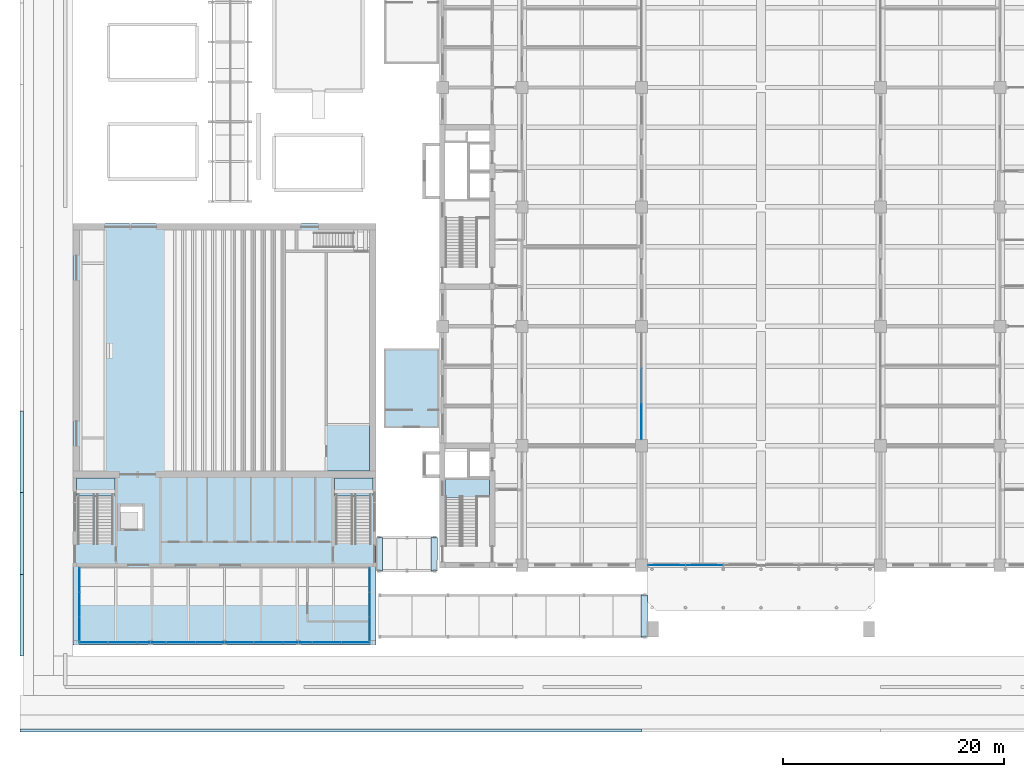
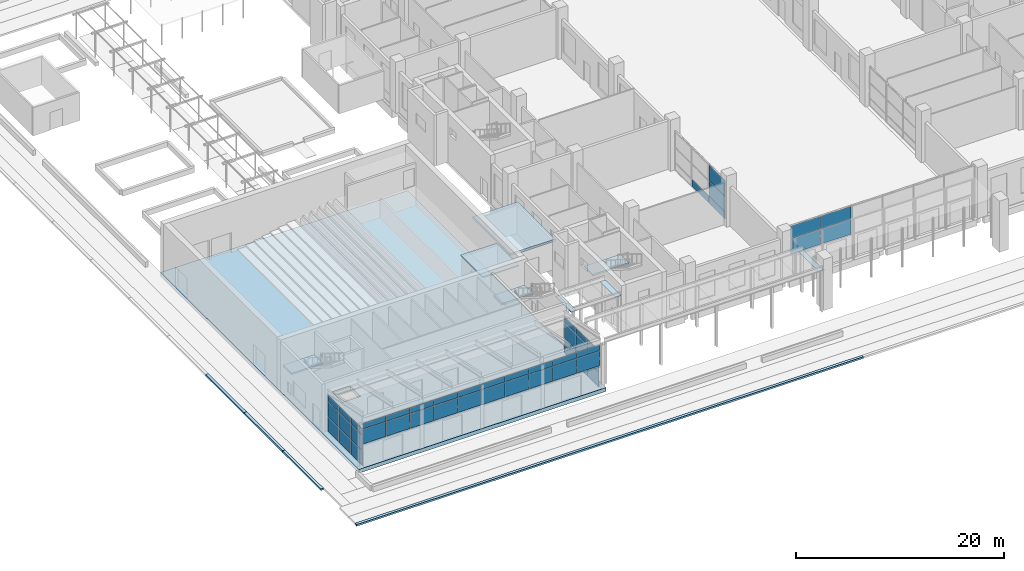
# One storey, part 41 of 71: 49 plates, 10 slabs, 8 elements without a shape of their own.
"""IFC4 building model written with IfcOpenShell, lengths in metres."""

import ifcopenshell
import ifcopenshell.guid

model = None  # the IFC model being written
_history = None  # IfcOwnerHistory: only IFC2X3 demands one
_inside = {}  # id of a spatial element -> (the spatial element, [elements in it])
_under = {}  # id of a project, library or spatial element -> (it, [spatial elements below it])
_declared = {}  # id of a project -> (the project, [libraries it declares])
_typed = {}  # id of a type object -> (the type object, [elements of that type])
_made_of = {}  # id of a material, layer set ... -> (it, [elements and type objects made of it])


def new_model(schema):
    """Start an empty IFC model of exactly this schema.

    Asked for "IFC4X3", IfcOpenShell would pick the latest addendum, in which some entities
    have other attributes; the version numbers below select the first issue.
    IFC2X3 requires an IfcOwnerHistory on every rooted entity: one is made here for all.
    """
    global model, _history
    if schema == "IFC4X3":
        model = ifcopenshell.file(schema_version=(4, 3, 0, 0))
    else:
        model = ifcopenshell.file(schema=schema)
    _inside.clear()
    _under.clear()
    _declared.clear()
    _typed.clear()
    _made_of.clear()
    _history = None
    if model.schema == "IFC2X3":
        org = make("IfcOrganization", Name="unknown")
        user = make(
            "IfcPersonAndOrganization",
            ThePerson=make("IfcPerson", FamilyName="unknown"),
            TheOrganization=org,
        )
        app = make(
            "IfcApplication",
            ApplicationDeveloper=org,
            Version="unknown",
            ApplicationFullName="unknown",
            ApplicationIdentifier="unknown",
        )
        _history = make(
            "IfcOwnerHistory",
            OwningUser=user,
            OwningApplication=app,
            ChangeAction="ADDED",
            CreationDate=0,
        )
    return model


def make(cls, **values):
    """One entity of the class cls with the attributes given. An attribute that is None is left unset."""
    return model.create_entity(
        cls, **{name: value for name, value in values.items() if value is not None}
    )


def rooted(cls, **values):
    """An entity with a GlobalId (a new one), such as an element, a storey or a relation."""
    return make(cls, GlobalId=ifcopenshell.guid.new(), OwnerHistory=_history, **values)


def si_unit(unit_type, name, prefix=None):
    """IfcSIUnit, for example si_unit("LENGTHUNIT", "METRE", prefix="MILLI")."""
    return make("IfcSIUnit", UnitType=unit_type, Prefix=prefix, Name=name)


def assignment(units):
    """IfcUnitAssignment: the units of a project."""
    return None if units is None else make("IfcUnitAssignment", Units=units)


def point(xyz):
    """IfcCartesianPoint."""
    return None if xyz is None else make("IfcCartesianPoint", Coordinates=xyz)


def direction(xyz):
    """IfcDirection."""
    return None if xyz is None else make("IfcDirection", DirectionRatios=xyz)


def frame(location, z_axis=None, x_axis=None):
    """IfcAxis2Placement3D, a coordinate frame: its origin and axes. An axis left out is left unset."""
    return make(
        "IfcAxis2Placement3D",
        Location=point(location),
        Axis=direction(z_axis),
        RefDirection=direction(x_axis),
    )


def frame_2d(location, x_axis=None):
    """IfcAxis2Placement2D, a coordinate frame in the plane: its origin and x axis."""
    return make(
        "IfcAxis2Placement2D", Location=point(location), RefDirection=direction(x_axis)
    )


def origin():
    """The frame at (0, 0, 0) with its axes left unset."""
    return frame((0.0, 0.0, 0.0))


def origin_2d():
    """The frame at (0, 0) in the plane with its x axis left unset."""
    return frame_2d((0.0, 0.0))


def place(relative_to, where):
    """IfcLocalPlacement: puts the frame where relative to a parent placement (None: the world)."""
    return make(
        "IfcLocalPlacement", PlacementRelTo=relative_to, RelativePlacement=where
    )


def context(
    kind, dimensions, precision=None, world=None, true_north=None, identifier=None
):
    """IfcGeometricRepresentationContext, for example the 3D "Model" context."""
    return make(
        "IfcGeometricRepresentationContext",
        ContextIdentifier=identifier,
        ContextType=kind,
        CoordinateSpaceDimension=dimensions,
        Precision=precision,
        WorldCoordinateSystem=world,
        TrueNorth=true_north,
    )


def subcontext(parent, identifier, kind, view, scale=None):
    """IfcGeometricRepresentationSubContext, for example "Body" below "Model"."""
    return make(
        "IfcGeometricRepresentationSubContext",
        ContextIdentifier=identifier,
        ContextType=kind,
        ParentContext=parent,
        TargetScale=scale,
        TargetView=view,
    )


def project(units=None, contexts=None):
    """IfcProject with its units and contexts."""
    return rooted(
        "IfcProject",
        Name="project",
        RepresentationContexts=contexts,
        UnitsInContext=assignment(units),
    )


def spatial(cls, under=None, at=None, **own):
    """A site, building, storey or space (cls), placed at a placement, below another one or the project."""
    s = rooted(cls, ObjectPlacement=at, **own)
    if under is not None:
        _under.setdefault(under.id(), (under, []))[1].append(s)
    return s


def polyline(points):
    """IfcPolyline through the points."""
    return make("IfcPolyline", Points=[point(p) for p in points])


def profile(cls, at=None, kind="AREA", **sizes):
    """A parametric profile (cls). Its sizes go by their IFC names, for example OverallWidth=200.0."""
    return make(cls, ProfileType=kind, Position=at, **sizes)


def rectangle(**sizes):
    """IfcRectangleProfileDef."""
    return profile("IfcRectangleProfileDef", **sizes)


def outline(outer, holes=None, kind="AREA"):
    """IfcArbitraryClosedProfileDef: a profile drawn as a closed curve; with holes, ...WithVoids."""
    if holes is None:
        return make("IfcArbitraryClosedProfileDef", ProfileType=kind, OuterCurve=outer)
    return make(
        "IfcArbitraryProfileDefWithVoids",
        ProfileType=kind,
        OuterCurve=outer,
        InnerCurves=holes,
    )


def extrude(swept, where, along, depth):
    """IfcExtrudedAreaSolid: the profile swept, set in the frame where, extruded along a direction by depth."""
    return make(
        "IfcExtrudedAreaSolid",
        SweptArea=swept,
        Position=where,
        ExtrudedDirection=direction(along),
        Depth=depth,
    )


def shape(context_of_items, identifier, shape_type, items):
    """IfcShapeRepresentation: the items that make up one representation, for example the "Body"."""
    return make(
        "IfcShapeRepresentation",
        ContextOfItems=context_of_items,
        RepresentationIdentifier=identifier,
        RepresentationType=shape_type,
        Items=items,
    )


def material(Name=None, Category=None):
    """IfcMaterial."""
    return make("IfcMaterial", Name=Name, Category=Category)


def layer(
    of_material, thickness, ventilated=None, Name=None, Category=None, Priority=None
):
    """IfcMaterialLayer: one layer of a wall or slab, of a material (None: an air gap)."""
    return make(
        "IfcMaterialLayer",
        Material=of_material,
        LayerThickness=thickness,
        IsVentilated=ventilated,
        Name=Name,
        Category=Category,
        Priority=Priority,
    )


def layer_set(layers, Name=None):
    """IfcMaterialLayerSet."""
    return make("IfcMaterialLayerSet", MaterialLayers=layers, LayerSetName=Name)


def made_of(thing, what):
    """Note that an element or type object is made of a material, layer set ...; save() writes the relation."""
    if what is not None:
        _made_of.setdefault(what.id(), (what, []))[1].append(thing)
    return thing


def type_object(cls, material=None, **own):
    """A type object (cls), such as IfcWallType, which elements share."""
    return made_of(rooted(cls, **own), material)


def element(
    cls,
    number,
    at=None,
    inside=None,
    cuts=None,
    type_object=None,
    material=None,
    context=None,
    identifier="Body",
    shape_type=None,
    held_by="IfcProductDefinitionShape",
    body=None,
    shapes=None,
    **own,
):
    """One element of the class cls, such as IfcWall. Its Tag is "e" and its number.

    at: its placement. inside: the storey or other place that contains it. cuts: it is an
    opening in that element (IfcRelVoidsElement). A single representation is given by context,
    identifier, shape_type and body (its items); several are given by shapes. held_by: the class
    of the entity that holds the representations. save() writes the other relations.
    """
    e = rooted(cls, Tag="e%d" % number, ObjectPlacement=at, **own)
    if body is not None:
        shapes = [shape(context, identifier, shape_type, body)]
    if shapes is not None:
        e.Representation = make(held_by, Representations=shapes)
    if inside is not None:
        _inside.setdefault(inside.id(), (inside, []))[1].append(e)
    if cuts is not None:
        rooted(
            "IfcRelVoidsElement", RelatingBuildingElement=cuts, RelatedOpeningElement=e
        )
    if type_object is not None:
        _typed.setdefault(type_object.id(), (type_object, []))[1].append(e)
    return made_of(e, material)


def aggregate(whole, parts):
    """IfcRelAggregates: a whole, such as a stair, and the parts it consists of."""
    return rooted("IfcRelAggregates", RelatingObject=whole, RelatedObjects=parts)


def save(model, path):
    """Write the relations noted so far, then the file.

    IfcRelAggregates (storeys below a building ...), IfcRelContainedInSpatialStructure (elements
    in a storey), IfcRelDefinesByType, IfcRelAssociatesMaterial and IfcRelDeclares: one each for
    every whole, place, type object, material and project.
    """
    for whole, parts in _under.values():
        aggregate(whole, parts)
    for where, things in _inside.values():
        rooted(
            "IfcRelContainedInSpatialStructure",
            RelatedElements=things,
            RelatingStructure=where,
        )
    for kind, things in _typed.values():
        rooted("IfcRelDefinesByType", RelatedObjects=things, RelatingType=kind)
    for what, things in _made_of.values():
        rooted("IfcRelAssociatesMaterial", RelatedObjects=things, RelatingMaterial=what)
    for by, libraries in _declared.values():
        rooted("IfcRelDeclares", RelatingContext=by, RelatedDefinitions=libraries)
    model.write(path)


model = new_model("IFC4")

# Units and contexts
model_context = context("Model", 3, precision=1e-05, world=origin(), true_north=direction((0.0, 1.0)))
body_context = subcontext(model_context, "Body", "Model", "MODEL_VIEW")
ifc_project = project(units=[si_unit("LENGTHUNIT", "METRE"), si_unit("AREAUNIT", "SQUARE_METRE"), si_unit("VOLUMEUNIT", "CUBIC_METRE"), si_unit("PLANEANGLEUNIT", "RADIAN"), si_unit("MASSUNIT", "GRAM", prefix="KILO")], contexts=[model_context])

# Site, building, storey
site_placement = place(None, origin())
site = spatial("IfcSite", under=ifc_project, at=site_placement, CompositionType="ELEMENT")
building_placement = place(site_placement, origin())
building = spatial("IfcBuilding", under=site, at=building_placement, Name="Basin Gate Institute", CompositionType="ELEMENT")
storey_placement = place(building_placement, origin())
storey = spatial("IfcBuildingStorey", under=building, at=storey_placement, Name="L00", CompositionType="ELEMENT", Elevation=0.0)

# Curtain wall, plates
ifc_material_1 = material(Name="Aluminium and glass curtain wall", Category="aluminium")
ifc_layer_1 = layer(ifc_material_1, 0.14990234375)
ifc_layer_set_1 = layer_set([ifc_layer_1], Name="Atrium curtain wall CW81")
curtain_wall_type_1 = type_object("IfcCurtainWallType", Name="Atrium curtain wall CW81", PredefinedType="NOTDEFINED", material=ifc_layer_set_1)
curtain_wall_1_placement = place(storey_placement, origin())
curtain_wall_1 = element("IfcCurtainWall", 1, at=curtain_wall_1_placement, inside=storey, type_object=curtain_wall_type_1, material=ifc_layer_set_1, Name="Foyer glazed front", PredefinedType="NOTDEFINED")
ifc_material_2 = material(Name="Toughened glass", Category="glass")
ifc_layer_2 = layer(ifc_material_2, 0.028076171875)
ifc_layer_set_2 = layer_set([ifc_layer_2], Name="Atrium glass panel PN81")
plate_type_1 = type_object("IfcPlateType", Name="Atrium glass panel PN81", PredefinedType="CURTAIN_PANEL", material=ifc_layer_set_2)
plate_1_placement = place(storey_placement, frame((29.635009765625, 28.10009765625, 2.659912109375), z_axis=(0.0, 0.0, 1.0), x_axis=(1.0, 0.0, 0.0)))
plate_1 = element("IfcPlate", 2, at=plate_1_placement, type_object=plate_type_1, material=ifc_layer_set_2, Name="CW81 panel 1.1", PredefinedType="CURTAIN_PANEL", context=body_context, shape_type="SweptSolid", body=[
    extrude(rectangle(XDim=2.550048828125, YDim=0.028076171875, at=origin_2d()), origin(), (0.0, 0.0, 1.0), 1.7099609375),
])
plate_2_placement = place(storey_placement, frame((29.635009765625, 28.10009765625, 4.429931640625), z_axis=(0.0, 0.0, 1.0), x_axis=(1.0, 0.0, 0.0)))
plate_2 = element("IfcPlate", 3, at=plate_2_placement, type_object=plate_type_1, material=ifc_layer_set_2, Name="CW81 panel 1.2", PredefinedType="CURTAIN_PANEL", context=body_context, shape_type="SweptSolid", body=[
    extrude(rectangle(XDim=2.550048828125, YDim=0.028076171875, at=origin_2d()), origin(), (0.0, 0.0, 1.0), 0.6376953125),
])
plate_3_placement = place(storey_placement, frame((32.260009765625, 28.10009765625, 2.659912109375), z_axis=(0.0, 0.0, 1.0), x_axis=(1.0, 0.0, 0.0)))
plate_3 = element("IfcPlate", 4, at=plate_3_placement, type_object=plate_type_1, material=ifc_layer_set_2, Name="CW81 panel 2.1", PredefinedType="CURTAIN_PANEL", context=body_context, shape_type="SweptSolid", body=[
    extrude(rectangle(XDim=2.580078125, YDim=0.028076171875, at=origin_2d()), origin(), (0.0, 0.0, 1.0), 1.7099609375),
])
plate_4_placement = place(storey_placement, frame((32.260009765625, 28.10009765625, 4.429931640625), z_axis=(0.0, 0.0, 1.0), x_axis=(1.0, 0.0, 0.0)))
plate_4 = element("IfcPlate", 5, at=plate_4_placement, type_object=plate_type_1, material=ifc_layer_set_2, Name="CW81 panel 2.2", PredefinedType="CURTAIN_PANEL", context=body_context, shape_type="SweptSolid", body=[
    extrude(rectangle(XDim=2.580078125, YDim=0.028076171875, at=origin_2d()), origin(), (0.0, 0.0, 1.0), 0.6376953125),
])
plate_5_placement = place(storey_placement, frame((34.89990234375, 28.10009765625, 2.659912109375), z_axis=(0.0, 0.0, 1.0), x_axis=(1.0, 0.0, 0.0)))
plate_5 = element("IfcPlate", 6, at=plate_5_placement, type_object=plate_type_1, material=ifc_layer_set_2, Name="CW81 panel 3.1", PredefinedType="CURTAIN_PANEL", context=body_context, shape_type="SweptSolid", body=[
    extrude(rectangle(XDim=2.580078125, YDim=0.028076171875, at=origin_2d()), origin(), (0.0, 0.0, 1.0), 1.7099609375),
])
plate_6_placement = place(storey_placement, frame((34.89990234375, 28.10009765625, 4.429931640625), z_axis=(0.0, 0.0, 1.0), x_axis=(1.0, 0.0, 0.0)))
plate_6 = element("IfcPlate", 7, at=plate_6_placement, type_object=plate_type_1, material=ifc_layer_set_2, Name="CW81 panel 3.2", PredefinedType="CURTAIN_PANEL", context=body_context, shape_type="SweptSolid", body=[
    extrude(rectangle(XDim=2.580078125, YDim=0.028076171875, at=origin_2d()), origin(), (0.0, 0.0, 1.0), 0.6376953125),
])
plate_7_placement = place(storey_placement, frame((37.5400390625, 28.10009765625, 2.659912109375), z_axis=(0.0, 0.0, 1.0), x_axis=(1.0, 0.0, 0.0)))
plate_7 = element("IfcPlate", 8, at=plate_7_placement, type_object=plate_type_1, material=ifc_layer_set_2, Name="CW81 panel 4.1", PredefinedType="CURTAIN_PANEL", context=body_context, shape_type="SweptSolid", body=[
    extrude(rectangle(XDim=2.580078125, YDim=0.028076171875, at=origin_2d()), origin(), (0.0, 0.0, 1.0), 1.7099609375),
])
plate_8_placement = place(storey_placement, frame((37.5400390625, 28.10009765625, 4.429931640625), z_axis=(0.0, 0.0, 1.0), x_axis=(1.0, 0.0, 0.0)))
plate_8 = element("IfcPlate", 9, at=plate_8_placement, type_object=plate_type_1, material=ifc_layer_set_2, Name="CW81 panel 4.2", PredefinedType="CURTAIN_PANEL", context=body_context, shape_type="SweptSolid", body=[
    extrude(rectangle(XDim=2.580078125, YDim=0.028076171875, at=origin_2d()), origin(), (0.0, 0.0, 1.0), 0.6376953125),
])
plate_9_placement = place(storey_placement, frame((40.179931640625, 28.10009765625, 2.659912109375), z_axis=(0.0, 0.0, 1.0), x_axis=(1.0, 0.0, 0.0)))
plate_9 = element("IfcPlate", 10, at=plate_9_placement, type_object=plate_type_1, material=ifc_layer_set_2, Name="CW81 panel 5.1", PredefinedType="CURTAIN_PANEL", context=body_context, shape_type="SweptSolid", body=[
    extrude(rectangle(XDim=2.580078125, YDim=0.028076171875, at=origin_2d()), origin(), (0.0, 0.0, 1.0), 1.7099609375),
])
plate_10_placement = place(storey_placement, frame((40.179931640625, 28.10009765625, 4.429931640625), z_axis=(0.0, 0.0, 1.0), x_axis=(1.0, 0.0, 0.0)))
plate_10 = element("IfcPlate", 11, at=plate_10_placement, type_object=plate_type_1, material=ifc_layer_set_2, Name="CW81 panel 5.2", PredefinedType="CURTAIN_PANEL", context=body_context, shape_type="SweptSolid", body=[
    extrude(rectangle(XDim=2.580078125, YDim=0.028076171875, at=origin_2d()), origin(), (0.0, 0.0, 1.0), 0.6376953125),
])
plate_11_placement = place(storey_placement, frame((42.820068359375, 28.10009765625, 2.659912109375), z_axis=(0.0, 0.0, 1.0), x_axis=(1.0, 0.0, 0.0)))
plate_11 = element("IfcPlate", 12, at=plate_11_placement, type_object=plate_type_1, material=ifc_layer_set_2, Name="CW81 panel 6.1", PredefinedType="CURTAIN_PANEL", context=body_context, shape_type="SweptSolid", body=[
    extrude(rectangle(XDim=2.580078125, YDim=0.028076171875, at=origin_2d()), origin(), (0.0, 0.0, 1.0), 1.7099609375),
])
plate_12_placement = place(storey_placement, frame((42.820068359375, 28.10009765625, 4.429931640625), z_axis=(0.0, 0.0, 1.0), x_axis=(1.0, 0.0, 0.0)))
plate_12 = element("IfcPlate", 13, at=plate_12_placement, type_object=plate_type_1, material=ifc_layer_set_2, Name="CW81 panel 6.2", PredefinedType="CURTAIN_PANEL", context=body_context, shape_type="SweptSolid", body=[
    extrude(rectangle(XDim=2.580078125, YDim=0.028076171875, at=origin_2d()), origin(), (0.0, 0.0, 1.0), 0.6376953125),
])
plate_13_placement = place(storey_placement, frame((45.4599609375, 28.10009765625, 2.659912109375), z_axis=(0.0, 0.0, 1.0), x_axis=(1.0, 0.0, 0.0)))
plate_13 = element("IfcPlate", 14, at=plate_13_placement, type_object=plate_type_1, material=ifc_layer_set_2, Name="CW81 panel 7.1", PredefinedType="CURTAIN_PANEL", context=body_context, shape_type="SweptSolid", body=[
    extrude(rectangle(XDim=2.580078125, YDim=0.028076171875, at=origin_2d()), origin(), (0.0, 0.0, 1.0), 1.7099609375),
])
plate_14_placement = place(storey_placement, frame((45.4599609375, 28.10009765625, 4.429931640625), z_axis=(0.0, 0.0, 1.0), x_axis=(1.0, 0.0, 0.0)))
plate_14 = element("IfcPlate", 15, at=plate_14_placement, type_object=plate_type_1, material=ifc_layer_set_2, Name="CW81 panel 7.2", PredefinedType="CURTAIN_PANEL", context=body_context, shape_type="SweptSolid", body=[
    extrude(rectangle(XDim=2.580078125, YDim=0.028076171875, at=origin_2d()), origin(), (0.0, 0.0, 1.0), 0.6376953125),
])
plate_15_placement = place(storey_placement, frame((48.10009765625, 28.10009765625, 2.659912109375), z_axis=(0.0, 0.0, 1.0), x_axis=(1.0, 0.0, 0.0)))
plate_15 = element("IfcPlate", 16, at=plate_15_placement, type_object=plate_type_1, material=ifc_layer_set_2, Name="CW81 panel 8.1", PredefinedType="CURTAIN_PANEL", context=body_context, shape_type="SweptSolid", body=[
    extrude(rectangle(XDim=2.580078125, YDim=0.028076171875, at=origin_2d()), origin(), (0.0, 0.0, 1.0), 1.7099609375),
])
plate_16_placement = place(storey_placement, frame((48.10009765625, 28.10009765625, 4.429931640625), z_axis=(0.0, 0.0, 1.0), x_axis=(1.0, 0.0, 0.0)))
plate_16 = element("IfcPlate", 17, at=plate_16_placement, type_object=plate_type_1, material=ifc_layer_set_2, Name="CW81 panel 8.2", PredefinedType="CURTAIN_PANEL", context=body_context, shape_type="SweptSolid", body=[
    extrude(rectangle(XDim=2.580078125, YDim=0.028076171875, at=origin_2d()), origin(), (0.0, 0.0, 1.0), 0.6376953125),
])
plate_17_placement = place(storey_placement, frame((50.739990234375, 28.10009765625, 2.659912109375), z_axis=(0.0, 0.0, 1.0), x_axis=(1.0, 0.0, 0.0)))
plate_17 = element("IfcPlate", 18, at=plate_17_placement, type_object=plate_type_1, material=ifc_layer_set_2, Name="CW81 panel 9.1", PredefinedType="CURTAIN_PANEL", context=body_context, shape_type="SweptSolid", body=[
    extrude(rectangle(XDim=2.580078125, YDim=0.028076171875, at=origin_2d()), origin(), (0.0, 0.0, 1.0), 1.7099609375),
])
plate_18_placement = place(storey_placement, frame((50.739990234375, 28.10009765625, 4.429931640625), z_axis=(0.0, 0.0, 1.0), x_axis=(1.0, 0.0, 0.0)))
plate_18 = element("IfcPlate", 19, at=plate_18_placement, type_object=plate_type_1, material=ifc_layer_set_2, Name="CW81 panel 9.2", PredefinedType="CURTAIN_PANEL", context=body_context, shape_type="SweptSolid", body=[
    extrude(rectangle(XDim=2.580078125, YDim=0.028076171875, at=origin_2d()), origin(), (0.0, 0.0, 1.0), 0.6376953125),
])
plate_19_placement = place(storey_placement, frame((53.364990234375, 28.10009765625, 2.659912109375), z_axis=(0.0, 0.0, 1.0), x_axis=(1.0, 0.0, 0.0)))
plate_19 = element("IfcPlate", 20, at=plate_19_placement, type_object=plate_type_1, material=ifc_layer_set_2, Name="CW81 panel 10.1", PredefinedType="CURTAIN_PANEL", context=body_context, shape_type="SweptSolid", body=[
    extrude(rectangle(XDim=2.550048828125, YDim=0.028076171875, at=origin_2d()), origin(), (0.0, 0.0, 1.0), 1.7099609375),
])
plate_20_placement = place(storey_placement, frame((53.364990234375, 28.10009765625, 4.429931640625), z_axis=(0.0, 0.0, 1.0), x_axis=(1.0, 0.0, 0.0)))
plate_20 = element("IfcPlate", 21, at=plate_20_placement, type_object=plate_type_1, material=ifc_layer_set_2, Name="CW81 panel 10.2", PredefinedType="CURTAIN_PANEL", context=body_context, shape_type="SweptSolid", body=[
    extrude(rectangle(XDim=2.550048828125, YDim=0.028076171875, at=origin_2d()), origin(), (0.0, 0.0, 1.0), 0.6376953125),
])
aggregate(curtain_wall_1, [plate_1, plate_2, plate_3, plate_4, plate_5, plate_6, plate_7, plate_8, plate_9, plate_10, plate_11, plate_12, plate_13, plate_14, plate_15, plate_16, plate_17, plate_18, plate_19, plate_20])

curtain_wall_2_placement = place(storey_placement, origin())
curtain_wall_2 = element("IfcCurtainWall", 22, at=curtain_wall_2_placement, inside=storey, type_object=curtain_wall_type_1, material=ifc_layer_set_1, Name="Foyer glazed side W", PredefinedType="NOTDEFINED")
plate_21_placement = place(storey_placement, frame((28.375, 29.327392578125, 0.06005859375), z_axis=(0.0, 0.0, 1.0), x_axis=(0.0, 1.0, 0.0)))
plate_21 = element("IfcPlate", 23, at=plate_21_placement, type_object=plate_type_1, material=ifc_layer_set_2, Name="CW81 panel 1.1", PredefinedType="CURTAIN_PANEL", context=body_context, shape_type="SweptSolid", body=[
    extrude(rectangle(XDim=2.135009765625, YDim=0.028076171875, at=origin_2d()), origin(), (0.0, 0.0, 1.0), 1.7099609375),
])
plate_22_placement = place(storey_placement, frame((28.375, 29.327392578125, 1.830078125), z_axis=(0.0, 0.0, 1.0), x_axis=(0.0, 1.0, 0.0)))
plate_22 = element("IfcPlate", 24, at=plate_22_placement, type_object=plate_type_1, material=ifc_layer_set_2, Name="CW81 panel 1.2", PredefinedType="CURTAIN_PANEL", context=body_context, shape_type="SweptSolid", body=[
    extrude(rectangle(XDim=2.135009765625, YDim=0.028076171875, at=origin_2d()), origin(), (0.0, 0.0, 1.0), 1.739990234375),
])
plate_23_placement = place(storey_placement, frame((28.375, 29.327392578125, 3.630126953125), z_axis=(0.0, 0.0, 1.0), x_axis=(0.0, 1.0, 0.0)))
plate_23 = element("IfcPlate", 25, at=plate_23_placement, type_object=plate_type_1, material=ifc_layer_set_2, Name="CW81 panel 1.3", PredefinedType="CURTAIN_PANEL", context=body_context, shape_type="SweptSolid", body=[
    extrude(rectangle(XDim=2.135009765625, YDim=0.028076171875, at=origin_2d()), origin(), (0.0, 0.0, 1.0), 0.7099609375),
])
plate_24_placement = place(storey_placement, frame((28.375, 31.53759765625, 0.06005859375), z_axis=(0.0, 0.0, 1.0), x_axis=(0.0, 1.0, 0.0)))
plate_24 = element("IfcPlate", 26, at=plate_24_placement, type_object=plate_type_1, material=ifc_layer_set_2, Name="CW81 panel 2.1", PredefinedType="CURTAIN_PANEL", context=body_context, shape_type="SweptSolid", body=[
    extrude(rectangle(XDim=2.1650390625, YDim=0.028076171875, at=origin_2d()), origin(), (0.0, 0.0, 1.0), 1.7099609375),
])
plate_25_placement = place(storey_placement, frame((28.375, 31.53759765625, 1.830078125), z_axis=(0.0, 0.0, 1.0), x_axis=(0.0, 1.0, 0.0)))
plate_25 = element("IfcPlate", 27, at=plate_25_placement, type_object=plate_type_1, material=ifc_layer_set_2, Name="CW81 panel 2.2", PredefinedType="CURTAIN_PANEL", context=body_context, shape_type="SweptSolid", body=[
    extrude(rectangle(XDim=2.1650390625, YDim=0.028076171875, at=origin_2d()), origin(), (0.0, 0.0, 1.0), 1.739990234375),
])
plate_26_placement = place(storey_placement, frame((28.375, 31.53759765625, 3.630126953125), z_axis=(0.0, 0.0, 1.0), x_axis=(0.0, 1.0, 0.0)))
plate_26 = element("IfcPlate", 28, at=plate_26_placement, type_object=plate_type_1, material=ifc_layer_set_2, Name="CW81 panel 2.3", PredefinedType="CURTAIN_PANEL", context=body_context, shape_type="SweptSolid", body=[
    extrude(rectangle(XDim=2.1650390625, YDim=0.028076171875, at=origin_2d()), origin(), (0.0, 0.0, 1.0), 0.7099609375),
])
plate_27_placement = place(storey_placement, frame((28.375, 33.74755859375, 0.06005859375), z_axis=(0.0, 0.0, 1.0), x_axis=(0.0, 1.0, 0.0)))
plate_27 = element("IfcPlate", 29, at=plate_27_placement, type_object=plate_type_1, material=ifc_layer_set_2, Name="CW81 panel 3.1", PredefinedType="CURTAIN_PANEL", context=body_context, shape_type="SweptSolid", body=[
    extrude(rectangle(XDim=2.135009765625, YDim=0.028076171875, at=origin_2d()), origin(), (0.0, 0.0, 1.0), 1.7099609375),
])
plate_28_placement = place(storey_placement, frame((28.375, 33.74755859375, 1.830078125), z_axis=(0.0, 0.0, 1.0), x_axis=(0.0, 1.0, 0.0)))
plate_28 = element("IfcPlate", 30, at=plate_28_placement, type_object=plate_type_1, material=ifc_layer_set_2, Name="CW81 panel 3.2", PredefinedType="CURTAIN_PANEL", context=body_context, shape_type="SweptSolid", body=[
    extrude(rectangle(XDim=2.135009765625, YDim=0.028076171875, at=origin_2d()), origin(), (0.0, 0.0, 1.0), 1.739990234375),
])
plate_29_placement = place(storey_placement, frame((28.375, 33.74755859375, 3.630126953125), z_axis=(0.0, 0.0, 1.0), x_axis=(0.0, 1.0, 0.0)))
plate_29 = element("IfcPlate", 31, at=plate_29_placement, type_object=plate_type_1, material=ifc_layer_set_2, Name="CW81 panel 3.3", PredefinedType="CURTAIN_PANEL", context=body_context, shape_type="SweptSolid", body=[
    extrude(rectangle(XDim=2.135009765625, YDim=0.028076171875, at=origin_2d()), origin(), (0.0, 0.0, 1.0), 0.7099609375),
])
aggregate(curtain_wall_2, [plate_21, plate_22, plate_23, plate_24, plate_25, plate_26, plate_27, plate_28, plate_29])

curtain_wall_3_placement = place(storey_placement, origin())
curtain_wall_3 = element("IfcCurtainWall", 32, at=curtain_wall_3_placement, inside=storey, type_object=curtain_wall_type_1, material=ifc_layer_set_1, Name="Foyer glazed side E", PredefinedType="NOTDEFINED")
plate_30_placement = place(storey_placement, frame((54.625, 29.327392578125, 0.06005859375), z_axis=(0.0, 0.0, 1.0), x_axis=(0.0, 1.0, 0.0)))
plate_30 = element("IfcPlate", 33, at=plate_30_placement, type_object=plate_type_1, material=ifc_layer_set_2, Name="CW81 panel 1.1", PredefinedType="CURTAIN_PANEL", context=body_context, shape_type="SweptSolid", body=[
    extrude(rectangle(XDim=2.135009765625, YDim=0.028076171875, at=origin_2d()), origin(), (0.0, 0.0, 1.0), 1.7099609375),
])
plate_31_placement = place(storey_placement, frame((54.625, 29.327392578125, 1.830078125), z_axis=(0.0, 0.0, 1.0), x_axis=(0.0, 1.0, 0.0)))
plate_31 = element("IfcPlate", 34, at=plate_31_placement, type_object=plate_type_1, material=ifc_layer_set_2, Name="CW81 panel 1.2", PredefinedType="CURTAIN_PANEL", context=body_context, shape_type="SweptSolid", body=[
    extrude(rectangle(XDim=2.135009765625, YDim=0.028076171875, at=origin_2d()), origin(), (0.0, 0.0, 1.0), 1.739990234375),
])
plate_32_placement = place(storey_placement, frame((54.625, 29.327392578125, 3.630126953125), z_axis=(0.0, 0.0, 1.0), x_axis=(0.0, 1.0, 0.0)))
plate_32 = element("IfcPlate", 35, at=plate_32_placement, type_object=plate_type_1, material=ifc_layer_set_2, Name="CW81 panel 1.3", PredefinedType="CURTAIN_PANEL", context=body_context, shape_type="SweptSolid", body=[
    extrude(rectangle(XDim=2.135009765625, YDim=0.028076171875, at=origin_2d()), origin(), (0.0, 0.0, 1.0), 0.7099609375),
])
plate_33_placement = place(storey_placement, frame((54.625, 31.53759765625, 0.06005859375), z_axis=(0.0, 0.0, 1.0), x_axis=(0.0, 1.0, 0.0)))
plate_33 = element("IfcPlate", 36, at=plate_33_placement, type_object=plate_type_1, material=ifc_layer_set_2, Name="CW81 panel 2.1", PredefinedType="CURTAIN_PANEL", context=body_context, shape_type="SweptSolid", body=[
    extrude(rectangle(XDim=2.1650390625, YDim=0.028076171875, at=origin_2d()), origin(), (0.0, 0.0, 1.0), 1.7099609375),
])
plate_34_placement = place(storey_placement, frame((54.625, 31.53759765625, 1.830078125), z_axis=(0.0, 0.0, 1.0), x_axis=(0.0, 1.0, 0.0)))
plate_34 = element("IfcPlate", 37, at=plate_34_placement, type_object=plate_type_1, material=ifc_layer_set_2, Name="CW81 panel 2.2", PredefinedType="CURTAIN_PANEL", context=body_context, shape_type="SweptSolid", body=[
    extrude(rectangle(XDim=2.1650390625, YDim=0.028076171875, at=origin_2d()), origin(), (0.0, 0.0, 1.0), 1.739990234375),
])
plate_35_placement = place(storey_placement, frame((54.625, 31.53759765625, 3.630126953125), z_axis=(0.0, 0.0, 1.0), x_axis=(0.0, 1.0, 0.0)))
plate_35 = element("IfcPlate", 38, at=plate_35_placement, type_object=plate_type_1, material=ifc_layer_set_2, Name="CW81 panel 2.3", PredefinedType="CURTAIN_PANEL", context=body_context, shape_type="SweptSolid", body=[
    extrude(rectangle(XDim=2.1650390625, YDim=0.028076171875, at=origin_2d()), origin(), (0.0, 0.0, 1.0), 0.7099609375),
])
plate_36_placement = place(storey_placement, frame((54.625, 33.74755859375, 0.06005859375), z_axis=(0.0, 0.0, 1.0), x_axis=(0.0, 1.0, 0.0)))
plate_36 = element("IfcPlate", 39, at=plate_36_placement, type_object=plate_type_1, material=ifc_layer_set_2, Name="CW81 panel 3.1", PredefinedType="CURTAIN_PANEL", context=body_context, shape_type="SweptSolid", body=[
    extrude(rectangle(XDim=2.135009765625, YDim=0.028076171875, at=origin_2d()), origin(), (0.0, 0.0, 1.0), 1.7099609375),
])
plate_37_placement = place(storey_placement, frame((54.625, 33.74755859375, 1.830078125), z_axis=(0.0, 0.0, 1.0), x_axis=(0.0, 1.0, 0.0)))
plate_37 = element("IfcPlate", 40, at=plate_37_placement, type_object=plate_type_1, material=ifc_layer_set_2, Name="CW81 panel 3.2", PredefinedType="CURTAIN_PANEL", context=body_context, shape_type="SweptSolid", body=[
    extrude(rectangle(XDim=2.135009765625, YDim=0.028076171875, at=origin_2d()), origin(), (0.0, 0.0, 1.0), 1.739990234375),
])
plate_38_placement = place(storey_placement, frame((54.625, 33.74755859375, 3.630126953125), z_axis=(0.0, 0.0, 1.0), x_axis=(0.0, 1.0, 0.0)))
plate_38 = element("IfcPlate", 41, at=plate_38_placement, type_object=plate_type_1, material=ifc_layer_set_2, Name="CW81 panel 3.3", PredefinedType="CURTAIN_PANEL", context=body_context, shape_type="SweptSolid", body=[
    extrude(rectangle(XDim=2.135009765625, YDim=0.028076171875, at=origin_2d()), origin(), (0.0, 0.0, 1.0), 0.7099609375),
])
aggregate(curtain_wall_3, [plate_30, plate_31, plate_32, plate_33, plate_34, plate_35, plate_36, plate_37, plate_38])

curtain_wall_4_placement = place(storey_placement, origin())
curtain_wall_4 = element("IfcCurtainWall", 42, at=curtain_wall_4_placement, inside=storey, type_object=curtain_wall_type_1, material=ifc_layer_set_1, Name="Atrium end screen S L00", PredefinedType="NOTDEFINED")
plate_39_placement = place(storey_placement, frame((81.473388671875, 35.10009765625, 2.659912109375), z_axis=(0.0, 0.0, 1.0), x_axis=(1.0, 0.0, 0.0)))
plate_39 = element("IfcPlate", 43, at=plate_39_placement, type_object=plate_type_1, material=ifc_layer_set_2, Name="CW81 panel 1.1", PredefinedType="CURTAIN_PANEL", context=body_context, shape_type="SweptSolid", body=[
    extrude(rectangle(XDim=3.32666015625, YDim=0.028076171875, at=origin_2d()), origin(), (0.0, 0.0, 1.0), 1.7099609375),
])
plate_40_placement = place(storey_placement, frame((81.473388671875, 35.10009765625, 4.43017578125), z_axis=(0.0, 0.0, 1.0), x_axis=(1.0, 0.0, 0.0)))
plate_40 = element("IfcPlate", 44, at=plate_40_placement, type_object=plate_type_1, material=ifc_layer_set_2, Name="CW81 panel 1.2", PredefinedType="CURTAIN_PANEL", context=body_context, shape_type="SweptSolid", body=[
    extrude(rectangle(XDim=3.32666015625, YDim=0.028076171875, at=origin_2d()), origin(), (0.0, 0.0, 1.0), 1.510009765625),
])
plate_41_placement = place(storey_placement, frame((84.875, 35.10009765625, 2.659912109375), z_axis=(0.0, 0.0, 1.0), x_axis=(1.0, 0.0, 0.0)))
plate_41 = element("IfcPlate", 45, at=plate_41_placement, type_object=plate_type_1, material=ifc_layer_set_2, Name="CW81 panel 2.1", PredefinedType="CURTAIN_PANEL", context=body_context, shape_type="SweptSolid", body=[
    extrude(rectangle(XDim=3.356689453125, YDim=0.028076171875, at=origin_2d()), origin(), (0.0, 0.0, 1.0), 1.7099609375),
])
plate_42_placement = place(storey_placement, frame((84.875, 35.10009765625, 4.43017578125), z_axis=(0.0, 0.0, 1.0), x_axis=(1.0, 0.0, 0.0)))
plate_42 = element("IfcPlate", 46, at=plate_42_placement, type_object=plate_type_1, material=ifc_layer_set_2, Name="CW81 panel 2.2", PredefinedType="CURTAIN_PANEL", context=body_context, shape_type="SweptSolid", body=[
    extrude(rectangle(XDim=3.356689453125, YDim=0.028076171875, at=origin_2d()), origin(), (0.0, 0.0, 1.0), 1.510009765625),
])
aggregate(curtain_wall_4, [plate_39, plate_40, plate_41, plate_42])

# Stair, slab
ifc_material_3 = material(Name="Concrete 40 MPa", Category="concrete")
stair_type_1 = type_object("IfcStairType", Name="Block stair ST", PredefinedType="HALF_TURN_STAIR", material=ifc_material_3)
stair_1_placement = place(storey_placement, origin())
stair_1 = element("IfcStair", 47, at=stair_1_placement, inside=storey, type_object=stair_type_1, material=ifc_material_3, Name="Theatre stair ST-T1 L00", PredefinedType="HALF_TURN_STAIR")
ifc_material_4 = material(Name="Concrete 40 MPa", Category="concrete")
ifc_layer_3 = layer(ifc_material_4, 0.199951171875)
ifc_layer_set_3 = layer_set([ifc_layer_3], Name="Concrete 40 MPa")
slab_type_1 = type_object("IfcSlabType", Name="Block stair landing", PredefinedType="LANDING", material=ifc_layer_set_3)
slab_1_placement = place(storey_placement, frame((0.0, 0.0, 2.800048828125)))
slab_1 = element("IfcSlab", 48, at=slab_1_placement, type_object=slab_type_1, material=ifc_layer_set_3, Name="ST-T1 landing 1", PredefinedType="LANDING", context=body_context, shape_type="SweptSolid", body=[
    extrude(outline(polyline([(28.10009765625, 41.360107421875), (31.574951171875, 41.360107421875), (31.574951171875, 43.0), (28.10009765625, 43.0), (28.10009765625, 41.360107421875)])), origin(), (0.0, 0.0, 1.0), 0.199951171875),
])
aggregate(stair_1, [slab_1])

stair_2_placement = place(storey_placement, origin())
stair_2 = element("IfcStair", 49, at=stair_2_placement, inside=storey, type_object=stair_type_1, material=ifc_material_3, Name="Theatre stair ST-T3 L00", PredefinedType="HALF_TURN_STAIR")
slab_2_placement = place(storey_placement, frame((0.0, 0.0, 2.800048828125)))
slab_2 = element("IfcSlab", 50, at=slab_2_placement, type_object=slab_type_1, material=ifc_layer_set_3, Name="ST-T3 landing 1", PredefinedType="LANDING", context=body_context, shape_type="SweptSolid", body=[
    extrude(outline(polyline([(51.425048828125, 41.360107421875), (54.89990234375, 41.360107421875), (54.89990234375, 43.0), (51.425048828125, 43.0), (51.425048828125, 41.360107421875)])), origin(), (0.0, 0.0, 1.0), 0.199951171875),
])
aggregate(stair_2, [slab_2])

# Slabs
ifc_material_5 = material(Name="Granite kerb 300 x 200", Category="masonry")
ifc_layer_4 = layer(ifc_material_5, 0.199951171875)
ifc_layer_set_4 = layer_set([ifc_layer_4], Name="Granite kerb strip KB1")
slab_type_2 = type_object("IfcSlabType", Name="Granite kerb strip KB1", PredefinedType="FLOOR", material=ifc_layer_set_4)
slab_3_placement = place(storey_placement, frame((0.0, 0.0, -0.199951171875)))
element("IfcSlab", 51, at=slab_3_placement, inside=storey, type_object=slab_type_2, material=ifc_layer_set_4, Name="Granite kerb strip S1", PredefinedType="FLOOR", context=body_context, shape_type="SweptSolid", body=[
    extrude(outline(polyline([(23.0, 20.0), (23.0, 20.300048828125), (79.199951171875, 20.300048828125), (79.199951171875, 20.0), (23.0, 20.0)])), origin(), (0.0, 0.0, 1.0), 0.199951171875),
])
slab_4_placement = place(storey_placement, frame((0.0, 0.0, -0.199951171875)))
element("IfcSlab", 52, at=slab_4_placement, inside=storey, type_object=slab_type_2, material=ifc_layer_set_4, Name="Granite kerb strip W7", PredefinedType="FLOOR", context=body_context, shape_type="SweptSolid", body=[
    extrude(outline(polyline([(23.0, 26.89990234375), (23.0, 34.28173828125), (23.300048828125, 34.28173828125), (23.300048828125, 26.89990234375), (23.0, 26.89990234375)])), origin(), (0.0, 0.0, 1.0), 0.199951171875),
])
slab_5_placement = place(storey_placement, frame((0.0, 0.0, -0.199951171875)))
element("IfcSlab", 53, at=slab_5_placement, inside=storey, type_object=slab_type_2, material=ifc_layer_set_4, Name="Granite kerb strip W8", PredefinedType="FLOOR", context=body_context, shape_type="SweptSolid", body=[
    extrude(outline(polyline([(23.0, 34.28173828125), (23.0, 41.66357421875), (23.300048828125, 41.66357421875), (23.300048828125, 34.28173828125), (23.0, 34.28173828125)])), origin(), (0.0, 0.0, 1.0), 0.199951171875),
])
slab_6_placement = place(storey_placement, frame((0.0, 0.0, -0.199951171875)))
element("IfcSlab", 54, at=slab_6_placement, inside=storey, type_object=slab_type_2, material=ifc_layer_set_4, Name="Granite kerb strip W9", PredefinedType="FLOOR", context=body_context, shape_type="SweptSolid", body=[
    extrude(outline(polyline([(23.0, 41.66357421875), (23.0, 49.04541015625), (23.300048828125, 49.04541015625), (23.300048828125, 41.66357421875), (23.0, 41.66357421875)])), origin(), (0.0, 0.0, 1.0), 0.199951171875),
])

# Plates
ifc_material_6 = material(Name="Stainless steel sliding cover plate", Category="steel")
ifc_layer_5 = layer(ifc_material_6, 0.006103515625)
ifc_layer_set_5 = layer_set([ifc_layer_5], Name="Stainless steel sliding cover plate")
plate_type_2 = type_object("IfcPlateType", Name="Passage joint cover JC2", PredefinedType="SHEET", material=ifc_layer_set_5)
for number, where, z_axis, x_axis, name in (
    (55, (55.5, 36.10009765625, 4.7939453125), (0.0, 0.0, 1.0), (1.0, 0.0, 0.0), "West court passage joint cover 1"),
    (56, (60.449951171875, 36.10009765625, 4.7939453125), (0.0, 0.0, 1.0), (1.0, 0.0, 0.0), "West court passage joint cover 2"),
):
    element("IfcPlate", number, at=place(storey_placement, frame(where, z_axis=z_axis, x_axis=x_axis)), inside=storey, type_object=plate_type_2, material=ifc_layer_set_5, Name=name, PredefinedType="SHEET", context=body_context, shape_type="SweptSolid", body=[
        extrude(rectangle(XDim=0.60009765625, YDim=3.0, at=origin_2d()), origin(), (0.0, 0.0, 1.0), 0.006103515625),
    ])
plate_43_placement = place(storey_placement, frame((79.449951171875, 30.5, 4.7939453125), z_axis=(0.0, 0.0, 1.0), x_axis=(1.0, 0.0, 0.0)))
element("IfcPlate", 57, at=plate_43_placement, inside=storey, type_object=plate_type_2, material=ifc_layer_set_5, Name="Forecourt canopy joint cover 1", PredefinedType="SHEET", context=body_context, shape_type="SweptSolid", body=[
    extrude(rectangle(XDim=0.60009765625, YDim=3.800048828125, at=origin_2d()), origin(), (0.0, 0.0, 1.0), 0.006103515625),
])

# Slabs
ifc_material_7 = material(Name="Concrete 40 MPa", Category="concrete")
ifc_layer_6 = layer(ifc_material_7, 0.449951171875)
ifc_layer_set_6 = layer_set([ifc_layer_6], Name="Concrete 40 MPa")
slab_type_3 = type_object("IfcSlabType", Name="Slab SL2 R180", PredefinedType="FLOOR", material=ifc_layer_set_6)
slab_7_placement = place(storey_placement, frame((0.0, 0.0, -0.449951171875)))
element("IfcSlab", 58, at=slab_7_placement, inside=storey, type_object=slab_type_3, material=ifc_layer_set_6, Name="Theatre floor slab R180 L00", PredefinedType="FLOOR", context=body_context, shape_type="SweptSolid", body=[
    extrude(outline(polyline([(27.800048828125, 66.0), (27.800048828125, 27.89990234375), (55.199951171875, 27.89990234375), (55.199951171875, 66.0), (27.800048828125, 66.0)]), holes=[polyline([(34.074951171875, 38.425048828125), (32.074951171875, 38.425048828125), (32.074951171875, 40.425048828125), (34.074951171875, 40.425048828125), (34.074951171875, 38.425048828125)])]), origin(), (0.0, 0.0, 1.0), 0.449951171875),
])
ifc_material_8 = material(Name="Concrete 40 MPa", Category="concrete")
ifc_layer_7 = layer(ifc_material_8, 0.14990234375)
ifc_layer_set_7 = layer_set([ifc_layer_7], Name="Concrete 40 MPa")
slab_type_4 = type_object("IfcSlabType", Name="Slab SL74 R180", PredefinedType="ROOF", material=ifc_layer_set_7)
slab_8_placement = place(storey_placement, frame((0.0, 0.0, 4.89990234375)))
element("IfcSlab", 59, at=slab_8_placement, inside=storey, type_object=slab_type_4, material=ifc_layer_set_7, Name="Projection room roof slab", PredefinedType="ROOF", context=body_context, shape_type="SweptSolid", body=[
    extrude(outline(polyline([(50.625, 43.60009765625), (54.60009765625, 43.60009765625), (54.60009765625, 47.875), (50.625, 47.875), (50.625, 43.60009765625)])), origin(), (0.0, 0.0, 1.0), 0.150146484375),
])

# Curtain wall, plates
ifc_material_9 = material(Name="Fire-resistant glazing in steel-free frame", Category="steel")
ifc_layer_8 = layer(ifc_material_9, 0.199951171875)
ifc_layer_set_8 = layer_set([ifc_layer_8], Name="Fire-resistant glazing in steel-free frame")
curtain_wall_type_2 = type_object("IfcCurtainWallType", Name="Atrium rated curtain wall CW3", PredefinedType="NOTDEFINED", material=ifc_layer_set_8)
curtain_wall_5_placement = place(storey_placement, origin())
curtain_wall_5 = element("IfcCurtainWall", 60, at=curtain_wall_5_placement, inside=storey, type_object=curtain_wall_type_2, material=ifc_layer_set_8, Name="Atrium rated curtain wall W wing atrium bay 2 L00", PredefinedType="NOTDEFINED")
ifc_material_10 = material(Name="Fire-resisting board panel")
ifc_layer_9 = layer(ifc_material_10, 0.050048828125)
ifc_layer_set_9 = layer_set([ifc_layer_9], Name="Spandrel panel PN4")
plate_type_3 = type_object("IfcPlateType", Name="Spandrel panel PN4", PredefinedType="CURTAIN_PANEL", material=ifc_layer_set_9)
plate_44_placement = place(storey_placement, frame((79.199951171875, 48.081787109375, 0.06005859375), z_axis=(0.0, 0.0, 1.0), x_axis=(0.0, 1.0, 0.0)))
plate_44 = element("IfcPlate", 61, at=plate_44_placement, type_object=plate_type_3, material=ifc_layer_set_9, Name="CW3 spandrel panel 1.1", PredefinedType="CURTAIN_PANEL", context=body_context, shape_type="SweptSolid", body=[
    extrude(rectangle(XDim=3.143310546875, YDim=0.050048828125, at=origin_2d()), origin(), (0.0, 0.0, 1.0), 0.81005859375),
])
plate_45_placement = place(storey_placement, frame((79.199951171875, 48.081787109375, 2.72998046875), z_axis=(0.0, 0.0, 1.0), x_axis=(0.0, 1.0, 0.0)))
plate_45 = element("IfcPlate", 62, at=plate_45_placement, type_object=plate_type_3, material=ifc_layer_set_9, Name="CW3 spandrel panel 1.3", PredefinedType="CURTAIN_PANEL", context=body_context, shape_type="SweptSolid", body=[
    extrude(rectangle(XDim=3.143310546875, YDim=0.050048828125, at=origin_2d()), origin(), (0.0, 0.0, 1.0), 1.81005859375),
])
plate_46_placement = place(storey_placement, frame((79.199951171875, 51.300048828125, 0.06005859375), z_axis=(0.0, 0.0, 1.0), x_axis=(0.0, 1.0, 0.0)))
plate_46 = element("IfcPlate", 63, at=plate_46_placement, type_object=plate_type_3, material=ifc_layer_set_9, Name="CW3 spandrel panel 2.1", PredefinedType="CURTAIN_PANEL", context=body_context, shape_type="SweptSolid", body=[
    extrude(rectangle(XDim=3.17333984375, YDim=0.050048828125, at=origin_2d()), origin(), (0.0, 0.0, 1.0), 0.81005859375),
])

# Slab
ifc_material_11 = material(Name="Insulated roof deck")
ifc_layer_10 = layer(ifc_material_11, 0.25)
ifc_layer_set_10 = layer_set([ifc_layer_10], Name="Stair head house roof deck")
slab_type_5 = type_object("IfcSlabType", Name="Stair head house roof deck", PredefinedType="ROOF", material=ifc_layer_set_10)
slab_9_placement = place(storey_placement, frame((0.0, 0.0, 3.300048828125)))
element("IfcSlab", 64, at=slab_9_placement, inside=storey, type_object=slab_type_5, material=ifc_layer_set_10, Name="Stair head house BS1 roof", PredefinedType="ROOF", context=body_context, shape_type="SweptSolid", body=[
    extrude(outline(polyline([(55.89990234375, 47.5), (60.89990234375, 47.5), (60.89990234375, 54.699951171875), (55.89990234375, 54.699951171875), (55.89990234375, 47.5)])), origin(), (0.0, 0.0, 1.0), 0.25),
])

# Stair, slab
ifc_material_12 = material(Name="Concrete 40 MPa", Category="concrete")
stair_type_2 = type_object("IfcStairType", Name="Stair ST", PredefinedType="HALF_TURN_STAIR", material=ifc_material_12)
stair_3_placement = place(storey_placement, origin())
stair_3 = element("IfcStair", 65, at=stair_3_placement, inside=storey, type_object=stair_type_2, material=ifc_material_12, Name="Special safe stair ST-WS L00", PredefinedType="HALF_TURN_STAIR")
ifc_material_13 = material(Name="Concrete 40 MPa", Category="concrete")
ifc_layer_11 = layer(ifc_material_13, 0.199951171875)
ifc_layer_set_11 = layer_set([ifc_layer_11], Name="Concrete 40 MPa")
slab_type_6 = type_object("IfcSlabType", Name="Stair landing LN REI 180", PredefinedType="LANDING", material=ifc_layer_set_11)
slab_10_placement = place(storey_placement, frame((0.0, 0.0, 2.800048828125)))
slab_10 = element("IfcSlab", 66, at=slab_10_placement, type_object=slab_type_6, material=ifc_layer_set_11, Name="Stair landing ST-WS-L1 L00", PredefinedType="LANDING", context=body_context, shape_type="SweptSolid", body=[
    extrude(outline(polyline([(61.449951171875, 41.2099609375), (65.449951171875, 41.2099609375), (65.449951171875, 42.85009765625), (61.449951171875, 42.85009765625), (61.449951171875, 41.2099609375)])), origin(), (0.0, 0.0, 1.0), 0.199951171875),
])
aggregate(stair_3, [slab_10])

# Plate
ifc_material_14 = material(Name="Fire-resistant glazing", Category="glass")
ifc_layer_12 = layer(ifc_material_14, 0.0400390625)
ifc_layer_set_12 = layer_set([ifc_layer_12], Name="Vision panel PN3")
plate_type_4 = type_object("IfcPlateType", Name="Vision panel PN3", PredefinedType="CURTAIN_PANEL", material=ifc_layer_set_12)
plate_47_placement = place(storey_placement, frame((79.199951171875, 48.081787109375, 0.93017578125), z_axis=(0.0, 0.0, 1.0), x_axis=(0.0, 1.0, 0.0)))
plate_47 = element("IfcPlate", 67, at=plate_47_placement, type_object=plate_type_4, material=ifc_layer_set_12, Name="CW3 vision panel 1.2", PredefinedType="CURTAIN_PANEL", context=body_context, shape_type="SweptSolid", body=[
    extrude(rectangle(XDim=3.143310546875, YDim=0.0400390625, at=origin_2d()), origin(), (0.0, 0.0, 1.0), 1.739990234375),
])

aggregate(curtain_wall_5, [plate_44, plate_47, plate_45, plate_46])

save(model, "model.ifc")
